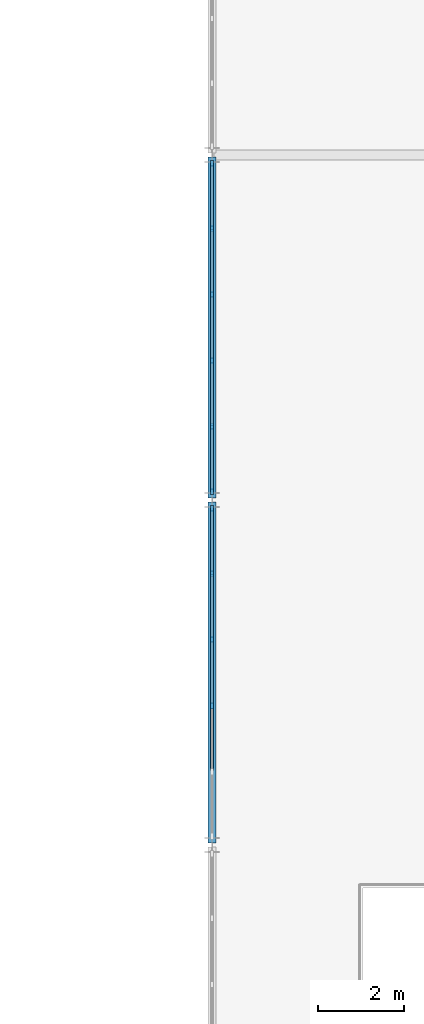
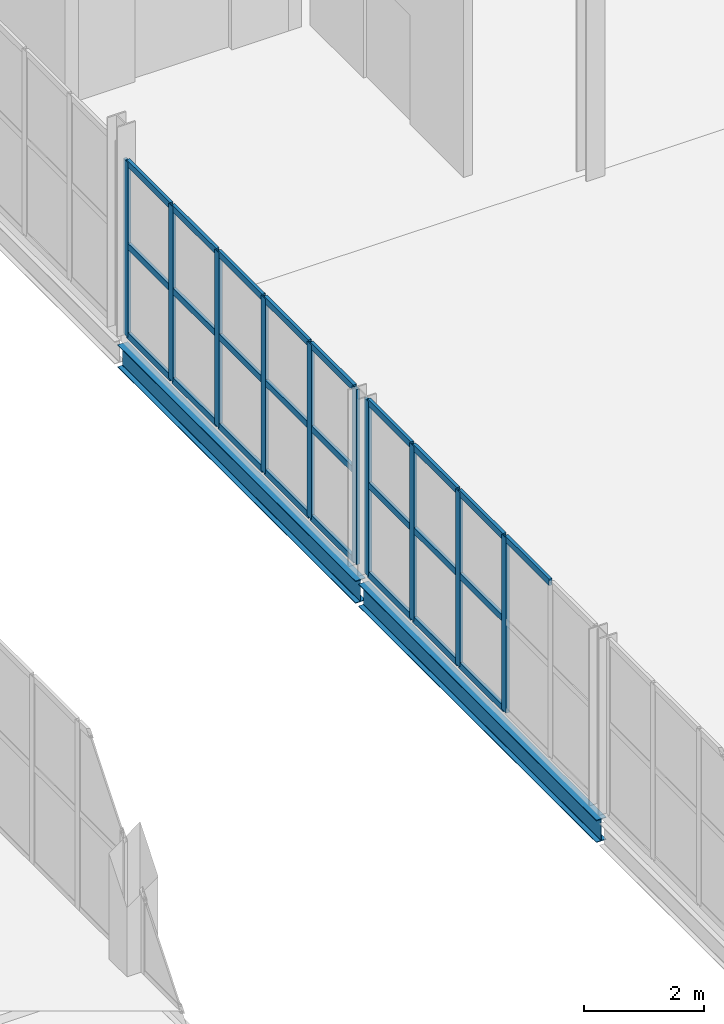
# One storey, part 17 of 73: 35 members, 2 beams, 2 elements without a shape of their own.
"""IFC4 building model written with IfcOpenShell, lengths in metres."""

from ifc_helpers import new_model, si_unit, direction, frame, origin, origin_2d, place, context, subcontext, project, spatial, rectangle, i_section, extrude, material, layer, layer_set, material_profile, profile_set, type_object, element, aggregate, save


model = new_model("IFC4")

# Units and contexts
model_context = context("Model", 3, precision=1e-05, world=origin(), true_north=direction((0.0, 1.0)))
body_context = subcontext(model_context, "Body", "Model", "MODEL_VIEW")
ifc_project = project(units=[si_unit("LENGTHUNIT", "METRE"), si_unit("AREAUNIT", "SQUARE_METRE"), si_unit("VOLUMEUNIT", "CUBIC_METRE"), si_unit("PLANEANGLEUNIT", "RADIAN"), si_unit("MASSUNIT", "GRAM", prefix="KILO")], contexts=[model_context])

# Site, building, storey
site_placement = place(None, origin())
site = spatial("IfcSite", under=ifc_project, at=site_placement, CompositionType="ELEMENT")
building_placement = place(site_placement, origin())
building = spatial("IfcBuilding", under=site, at=building_placement, Name="Marnock Terrace Opera House", CompositionType="ELEMENT")
storey_placement = place(building_placement, frame((0.0, 0.0, 14.699951171875)))
storey = spatial("IfcBuildingStorey", under=building, at=storey_placement, Name="L03", CompositionType="ELEMENT", Elevation=14.699951171875)

# Beams
ifc_material_1 = material(Name="Steel Grade 350 (AS/NZS 3679.1)", Category="steel")
ifc_material_profile_1 = material_profile(ifc_material_1, i_section(OverallWidth=0.18994140625, OverallDepth=0.45751953125, WebThickness=0.009033203125, FlangeThickness=0.014404296875, FilletRadius=0.011474609375, at=origin_2d()))
ifc_profile_set_1 = profile_set([ifc_material_profile_1], Name="Steel Grade 350 (AS/NZS 3679.1)")
beam_type = type_object("IfcBeamType", Name="BM-GIRD-460B", PredefinedType="BEAM", material=ifc_profile_set_1)
for number, where, z_axis, x_axis, name in (
    (1, (55.0, 24.050048828125, -0.48876953125), (0.0, 1.0, 0.0), (-1.0, 0.0, 0.0), "L03 girder (X=55.0, 24.0..32.0)"),
    (2, (55.0, 32.050048828125, -0.48876953125), (0.0, 1.0, 0.0), (-1.0, 0.0, 0.0), "L03 girder (X=55.0, 32.0..40.0)"),
):
    element("IfcBeam", number, at=place(storey_placement, frame(where, z_axis=z_axis, x_axis=x_axis)), inside=storey, type_object=beam_type, Name=name, PredefinedType="BEAM", context=body_context, shape_type="SweptSolid", body=[
        extrude(i_section(OverallWidth=0.18994140625, OverallDepth=0.45751953125, WebThickness=0.009033203125, FlangeThickness=0.014404296875, FilletRadius=0.011474609375, at=origin_2d()), origin(), (0.0, 0.0, 1.0), 7.89990234375),
    ])

# Curtain wall, members
ifc_material_2 = material(Name="Anodised architectural bronze aluminium framing", Category="aluminium")
ifc_layer = layer(ifc_material_2, 0.159912109375)
ifc_layer_set = layer_set([ifc_layer], Name="Anodised architectural bronze aluminium framing")
curtain_wall_type = type_object("IfcCurtainWallType", Name="CW-FOYER-80x42", PredefinedType="NOTDEFINED", material=ifc_layer_set)
curtain_wall_1_placement = place(storey_placement, origin())
curtain_wall_1 = element("IfcCurtainWall", 3, at=curtain_wall_1_placement, inside=storey, type_object=curtain_wall_type, Name="L03 glazed Beaux-Arts colonnade curtain wall CW-V1W-L03-03", PredefinedType="NOTDEFINED")
ifc_material_profile_2 = material_profile(ifc_material_2, rectangle(XDim=0.06005859375, YDim=0.14990234375, at=origin_2d()))
ifc_profile_set_2 = profile_set([ifc_material_profile_2], Name="Anodised architectural bronze aluminium framing")
member_type_1 = type_object("IfcMemberType", Name="CWM-60x150", PredefinedType="MULLION", material=ifc_profile_set_2)
member_1_placement = place(storey_placement, frame((55.0, 27.234130859375, 0.0), z_axis=(0.0, 0.0, 1.0), x_axis=(-1.0, 0.0, 0.0)))
member_1 = element("IfcMember", 4, at=member_1_placement, type_object=member_type_1, Name="CW-62 mullion 3", PredefinedType="MULLION", context=body_context, shape_type="SweptSolid", body=[
    extrude(rectangle(XDim=0.06005859375, YDim=0.14990234375, at=origin_2d()), origin(), (0.0, 0.0, 1.0), 3.546142578125),
])
member_2_placement = place(storey_placement, frame((55.0, 28.765869140625, 0.0), z_axis=(0.0, 0.0, 1.0), x_axis=(-1.0, 0.0, 0.0)))
member_2 = element("IfcMember", 5, at=member_2_placement, type_object=member_type_1, Name="CW-62 mullion 4", PredefinedType="MULLION", context=body_context, shape_type="SweptSolid", body=[
    extrude(rectangle(XDim=0.06005859375, YDim=0.14990234375, at=origin_2d()), origin(), (0.0, 0.0, 1.0), 3.546142578125),
])
member_3_placement = place(storey_placement, frame((55.0, 30.29736328125, 0.0), z_axis=(0.0, 0.0, 1.0), x_axis=(-1.0, 0.0, 0.0)))
member_3 = element("IfcMember", 6, at=member_3_placement, type_object=member_type_1, Name="CW-62 mullion 5", PredefinedType="MULLION", context=body_context, shape_type="SweptSolid", body=[
    extrude(rectangle(XDim=0.06005859375, YDim=0.14990234375, at=origin_2d()), origin(), (0.0, 0.0, 1.0), 3.546142578125),
])
member_4_placement = place(storey_placement, frame((55.0, 31.799072265625, 0.0), z_axis=(0.0, 0.0, 1.0), x_axis=(-1.0, 0.0, 0.0)))
member_4 = element("IfcMember", 7, at=member_4_placement, type_object=member_type_1, Name="CW-62 mullion 6", PredefinedType="MULLION", context=body_context, shape_type="SweptSolid", body=[
    extrude(rectangle(XDim=0.06005859375, YDim=0.14990234375, at=origin_2d()), origin(), (0.0, 0.0, 1.0), 3.546142578125),
])

curtain_wall_2_placement = place(storey_placement, origin())
curtain_wall_2 = element("IfcCurtainWall", 8, at=curtain_wall_2_placement, inside=storey, type_object=curtain_wall_type, Name="L03 glazed Beaux-Arts colonnade curtain wall CW-V1W-L03-04", PredefinedType="NOTDEFINED")
member_5_placement = place(storey_placement, frame((55.0, 32.200927734375, 0.0), z_axis=(0.0, 0.0, 1.0), x_axis=(-1.0, 0.0, 0.0)))
member_5 = element("IfcMember", 9, at=member_5_placement, type_object=member_type_1, Name="CW-62 mullion 1", PredefinedType="MULLION", context=body_context, shape_type="SweptSolid", body=[
    extrude(rectangle(XDim=0.06005859375, YDim=0.14990234375, at=origin_2d()), origin(), (0.0, 0.0, 1.0), 3.546142578125),
])
member_6_placement = place(storey_placement, frame((55.0, 33.70263671875, 0.0), z_axis=(0.0, 0.0, 1.0), x_axis=(-1.0, 0.0, 0.0)))
member_6 = element("IfcMember", 10, at=member_6_placement, type_object=member_type_1, Name="CW-62 mullion 2", PredefinedType="MULLION", context=body_context, shape_type="SweptSolid", body=[
    extrude(rectangle(XDim=0.06005859375, YDim=0.14990234375, at=origin_2d()), origin(), (0.0, 0.0, 1.0), 3.546142578125),
])
member_7_placement = place(storey_placement, frame((55.0, 35.234130859375, 0.0), z_axis=(0.0, 0.0, 1.0), x_axis=(-1.0, 0.0, 0.0)))
member_7 = element("IfcMember", 11, at=member_7_placement, type_object=member_type_1, Name="CW-62 mullion 3", PredefinedType="MULLION", context=body_context, shape_type="SweptSolid", body=[
    extrude(rectangle(XDim=0.06005859375, YDim=0.14990234375, at=origin_2d()), origin(), (0.0, 0.0, 1.0), 3.546142578125),
])
member_8_placement = place(storey_placement, frame((55.0, 36.765869140625, 0.0), z_axis=(0.0, 0.0, 1.0), x_axis=(-1.0, 0.0, 0.0)))
member_8 = element("IfcMember", 12, at=member_8_placement, type_object=member_type_1, Name="CW-62 mullion 4", PredefinedType="MULLION", context=body_context, shape_type="SweptSolid", body=[
    extrude(rectangle(XDim=0.06005859375, YDim=0.14990234375, at=origin_2d()), origin(), (0.0, 0.0, 1.0), 3.546142578125),
])
member_9_placement = place(storey_placement, frame((55.0, 38.29736328125, 0.0), z_axis=(0.0, 0.0, 1.0), x_axis=(-1.0, 0.0, 0.0)))
member_9 = element("IfcMember", 13, at=member_9_placement, type_object=member_type_1, Name="CW-62 mullion 5", PredefinedType="MULLION", context=body_context, shape_type="SweptSolid", body=[
    extrude(rectangle(XDim=0.06005859375, YDim=0.14990234375, at=origin_2d()), origin(), (0.0, 0.0, 1.0), 3.546142578125),
])
member_10_placement = place(storey_placement, frame((55.0, 39.799072265625, 0.0), z_axis=(0.0, 0.0, 1.0), x_axis=(-1.0, 0.0, 0.0)))
member_10 = element("IfcMember", 14, at=member_10_placement, type_object=member_type_1, Name="CW-62 mullion 6", PredefinedType="MULLION", context=body_context, shape_type="SweptSolid", body=[
    extrude(rectangle(XDim=0.06005859375, YDim=0.14990234375, at=origin_2d()), origin(), (0.0, 0.0, 1.0), 3.546142578125),
])

# Member
ifc_material_profile_3 = material_profile(ifc_material_2, rectangle(XDim=0.06005859375, YDim=0.1298828125, at=origin_2d()))
ifc_profile_set_3 = profile_set([ifc_material_profile_3], Name="Anodised architectural bronze aluminium framing")
member_type_2 = type_object("IfcMemberType", Name="CWT-60x130", PredefinedType="USERDEFINED", material=ifc_profile_set_3)
member_11_placement = place(storey_placement, frame((55.0, 25.732666015625, 3.51611328125), z_axis=(0.0, 1.0, 0.0), x_axis=(-1.0, 0.0, 0.0)))
member_11 = element("IfcMember", 15, at=member_11_placement, type_object=member_type_2, Name="CW-62 transom 2.3", ObjectType="TRANSOM", PredefinedType="USERDEFINED", context=body_context, shape_type="SweptSolid", body=[
    extrude(rectangle(XDim=0.06005859375, YDim=0.1298828125, at=origin_2d()), origin(), (0.0, 0.0, 1.0), 1.471435546875),
])

member_12_placement = place(storey_placement, frame((55.0, 27.26416015625, 0.030029296875), z_axis=(0.0, 1.0, 0.0), x_axis=(-1.0, 0.0, 0.0)))
member_12 = element("IfcMember", 16, at=member_12_placement, type_object=member_type_2, Name="CW-62 transom 3.1", ObjectType="TRANSOM", PredefinedType="USERDEFINED", context=body_context, shape_type="SweptSolid", body=[
    extrude(rectangle(XDim=0.06005859375, YDim=0.1298828125, at=origin_2d()), origin(), (0.0, 0.0, 1.0), 1.4716796875),
])

member_13_placement = place(storey_placement, frame((55.0, 27.26416015625, 1.843994140625), z_axis=(0.0, 1.0, 0.0), x_axis=(-1.0, 0.0, 0.0)))
member_13 = element("IfcMember", 17, at=member_13_placement, type_object=member_type_2, Name="CW-62 transom 3.2", ObjectType="TRANSOM", PredefinedType="USERDEFINED", context=body_context, shape_type="SweptSolid", body=[
    extrude(rectangle(XDim=0.06005859375, YDim=0.1298828125, at=origin_2d()), origin(), (0.0, 0.0, 1.0), 1.4716796875),
])

member_14_placement = place(storey_placement, frame((55.0, 27.26416015625, 3.51611328125), z_axis=(0.0, 1.0, 0.0), x_axis=(-1.0, 0.0, 0.0)))
member_14 = element("IfcMember", 18, at=member_14_placement, type_object=member_type_2, Name="CW-62 transom 3.3", ObjectType="TRANSOM", PredefinedType="USERDEFINED", context=body_context, shape_type="SweptSolid", body=[
    extrude(rectangle(XDim=0.06005859375, YDim=0.1298828125, at=origin_2d()), origin(), (0.0, 0.0, 1.0), 1.4716796875),
])

member_15_placement = place(storey_placement, frame((55.0, 28.7958984375, 0.030029296875), z_axis=(0.0, 1.0, 0.0), x_axis=(-1.0, 0.0, 0.0)))
member_15 = element("IfcMember", 19, at=member_15_placement, type_object=member_type_2, Name="CW-62 transom 4.1", ObjectType="TRANSOM", PredefinedType="USERDEFINED", context=body_context, shape_type="SweptSolid", body=[
    extrude(rectangle(XDim=0.06005859375, YDim=0.1298828125, at=origin_2d()), origin(), (0.0, 0.0, 1.0), 1.471435546875),
])

member_16_placement = place(storey_placement, frame((55.0, 28.7958984375, 1.843994140625), z_axis=(0.0, 1.0, 0.0), x_axis=(-1.0, 0.0, 0.0)))
member_16 = element("IfcMember", 20, at=member_16_placement, type_object=member_type_2, Name="CW-62 transom 4.2", ObjectType="TRANSOM", PredefinedType="USERDEFINED", context=body_context, shape_type="SweptSolid", body=[
    extrude(rectangle(XDim=0.06005859375, YDim=0.1298828125, at=origin_2d()), origin(), (0.0, 0.0, 1.0), 1.471435546875),
])

member_17_placement = place(storey_placement, frame((55.0, 28.7958984375, 3.51611328125), z_axis=(0.0, 1.0, 0.0), x_axis=(-1.0, 0.0, 0.0)))
member_17 = element("IfcMember", 21, at=member_17_placement, type_object=member_type_2, Name="CW-62 transom 4.3", ObjectType="TRANSOM", PredefinedType="USERDEFINED", context=body_context, shape_type="SweptSolid", body=[
    extrude(rectangle(XDim=0.06005859375, YDim=0.1298828125, at=origin_2d()), origin(), (0.0, 0.0, 1.0), 1.471435546875),
])

member_18_placement = place(storey_placement, frame((55.0, 30.327392578125, 0.030029296875), z_axis=(0.0, 1.0, 0.0), x_axis=(-1.0, 0.0, 0.0)))
member_18 = element("IfcMember", 22, at=member_18_placement, type_object=member_type_2, Name="CW-62 transom 5.1", ObjectType="TRANSOM", PredefinedType="USERDEFINED", context=body_context, shape_type="SweptSolid", body=[
    extrude(rectangle(XDim=0.06005859375, YDim=0.1298828125, at=origin_2d()), origin(), (0.0, 0.0, 1.0), 1.441650390625),
])

member_19_placement = place(storey_placement, frame((55.0, 30.327392578125, 1.843994140625), z_axis=(0.0, 1.0, 0.0), x_axis=(-1.0, 0.0, 0.0)))
member_19 = element("IfcMember", 23, at=member_19_placement, type_object=member_type_2, Name="CW-62 transom 5.2", ObjectType="TRANSOM", PredefinedType="USERDEFINED", context=body_context, shape_type="SweptSolid", body=[
    extrude(rectangle(XDim=0.06005859375, YDim=0.1298828125, at=origin_2d()), origin(), (0.0, 0.0, 1.0), 1.441650390625),
])

member_20_placement = place(storey_placement, frame((55.0, 30.327392578125, 3.51611328125), z_axis=(0.0, 1.0, 0.0), x_axis=(-1.0, 0.0, 0.0)))
member_20 = element("IfcMember", 24, at=member_20_placement, type_object=member_type_2, Name="CW-62 transom 5.3", ObjectType="TRANSOM", PredefinedType="USERDEFINED", context=body_context, shape_type="SweptSolid", body=[
    extrude(rectangle(XDim=0.06005859375, YDim=0.1298828125, at=origin_2d()), origin(), (0.0, 0.0, 1.0), 1.441650390625),
])

aggregate(curtain_wall_1, [member_1, member_2, member_3, member_4, member_11, member_12, member_13, member_14, member_15, member_16, member_17, member_18, member_19, member_20])

member_21_placement = place(storey_placement, frame((55.0, 32.23095703125, 0.030029296875), z_axis=(0.0, 1.0, 0.0), x_axis=(-1.0, 0.0, 0.0)))
member_21 = element("IfcMember", 25, at=member_21_placement, type_object=member_type_2, Name="CW-62 transom 1.1", ObjectType="TRANSOM", PredefinedType="USERDEFINED", context=body_context, shape_type="SweptSolid", body=[
    extrude(rectangle(XDim=0.06005859375, YDim=0.1298828125, at=origin_2d()), origin(), (0.0, 0.0, 1.0), 1.441650390625),
])

member_22_placement = place(storey_placement, frame((55.0, 32.23095703125, 1.843994140625), z_axis=(0.0, 1.0, 0.0), x_axis=(-1.0, 0.0, 0.0)))
member_22 = element("IfcMember", 26, at=member_22_placement, type_object=member_type_2, Name="CW-62 transom 1.2", ObjectType="TRANSOM", PredefinedType="USERDEFINED", context=body_context, shape_type="SweptSolid", body=[
    extrude(rectangle(XDim=0.06005859375, YDim=0.1298828125, at=origin_2d()), origin(), (0.0, 0.0, 1.0), 1.441650390625),
])

member_23_placement = place(storey_placement, frame((55.0, 32.23095703125, 3.51611328125), z_axis=(0.0, 1.0, 0.0), x_axis=(-1.0, 0.0, 0.0)))
member_23 = element("IfcMember", 27, at=member_23_placement, type_object=member_type_2, Name="CW-62 transom 1.3", ObjectType="TRANSOM", PredefinedType="USERDEFINED", context=body_context, shape_type="SweptSolid", body=[
    extrude(rectangle(XDim=0.06005859375, YDim=0.1298828125, at=origin_2d()), origin(), (0.0, 0.0, 1.0), 1.441650390625),
])

member_24_placement = place(storey_placement, frame((55.0, 33.732666015625, 0.030029296875), z_axis=(0.0, 1.0, 0.0), x_axis=(-1.0, 0.0, 0.0)))
member_24 = element("IfcMember", 28, at=member_24_placement, type_object=member_type_2, Name="CW-62 transom 2.1", ObjectType="TRANSOM", PredefinedType="USERDEFINED", context=body_context, shape_type="SweptSolid", body=[
    extrude(rectangle(XDim=0.06005859375, YDim=0.1298828125, at=origin_2d()), origin(), (0.0, 0.0, 1.0), 1.471435546875),
])

member_25_placement = place(storey_placement, frame((55.0, 33.732666015625, 1.843994140625), z_axis=(0.0, 1.0, 0.0), x_axis=(-1.0, 0.0, 0.0)))
member_25 = element("IfcMember", 29, at=member_25_placement, type_object=member_type_2, Name="CW-62 transom 2.2", ObjectType="TRANSOM", PredefinedType="USERDEFINED", context=body_context, shape_type="SweptSolid", body=[
    extrude(rectangle(XDim=0.06005859375, YDim=0.1298828125, at=origin_2d()), origin(), (0.0, 0.0, 1.0), 1.471435546875),
])

member_26_placement = place(storey_placement, frame((55.0, 33.732666015625, 3.51611328125), z_axis=(0.0, 1.0, 0.0), x_axis=(-1.0, 0.0, 0.0)))
member_26 = element("IfcMember", 30, at=member_26_placement, type_object=member_type_2, Name="CW-62 transom 2.3", ObjectType="TRANSOM", PredefinedType="USERDEFINED", context=body_context, shape_type="SweptSolid", body=[
    extrude(rectangle(XDim=0.06005859375, YDim=0.1298828125, at=origin_2d()), origin(), (0.0, 0.0, 1.0), 1.471435546875),
])

member_27_placement = place(storey_placement, frame((55.0, 35.26416015625, 0.030029296875), z_axis=(0.0, 1.0, 0.0), x_axis=(-1.0, 0.0, 0.0)))
member_27 = element("IfcMember", 31, at=member_27_placement, type_object=member_type_2, Name="CW-62 transom 3.1", ObjectType="TRANSOM", PredefinedType="USERDEFINED", context=body_context, shape_type="SweptSolid", body=[
    extrude(rectangle(XDim=0.06005859375, YDim=0.1298828125, at=origin_2d()), origin(), (0.0, 0.0, 1.0), 1.4716796875),
])

member_28_placement = place(storey_placement, frame((55.0, 35.26416015625, 1.843994140625), z_axis=(0.0, 1.0, 0.0), x_axis=(-1.0, 0.0, 0.0)))
member_28 = element("IfcMember", 32, at=member_28_placement, type_object=member_type_2, Name="CW-62 transom 3.2", ObjectType="TRANSOM", PredefinedType="USERDEFINED", context=body_context, shape_type="SweptSolid", body=[
    extrude(rectangle(XDim=0.06005859375, YDim=0.1298828125, at=origin_2d()), origin(), (0.0, 0.0, 1.0), 1.4716796875),
])

member_29_placement = place(storey_placement, frame((55.0, 35.26416015625, 3.51611328125), z_axis=(0.0, 1.0, 0.0), x_axis=(-1.0, 0.0, 0.0)))
member_29 = element("IfcMember", 33, at=member_29_placement, type_object=member_type_2, Name="CW-62 transom 3.3", ObjectType="TRANSOM", PredefinedType="USERDEFINED", context=body_context, shape_type="SweptSolid", body=[
    extrude(rectangle(XDim=0.06005859375, YDim=0.1298828125, at=origin_2d()), origin(), (0.0, 0.0, 1.0), 1.4716796875),
])

member_30_placement = place(storey_placement, frame((55.0, 36.7958984375, 0.030029296875), z_axis=(0.0, 1.0, 0.0), x_axis=(-1.0, 0.0, 0.0)))
member_30 = element("IfcMember", 34, at=member_30_placement, type_object=member_type_2, Name="CW-62 transom 4.1", ObjectType="TRANSOM", PredefinedType="USERDEFINED", context=body_context, shape_type="SweptSolid", body=[
    extrude(rectangle(XDim=0.06005859375, YDim=0.1298828125, at=origin_2d()), origin(), (0.0, 0.0, 1.0), 1.471435546875),
])

member_31_placement = place(storey_placement, frame((55.0, 36.7958984375, 1.843994140625), z_axis=(0.0, 1.0, 0.0), x_axis=(-1.0, 0.0, 0.0)))
member_31 = element("IfcMember", 35, at=member_31_placement, type_object=member_type_2, Name="CW-62 transom 4.2", ObjectType="TRANSOM", PredefinedType="USERDEFINED", context=body_context, shape_type="SweptSolid", body=[
    extrude(rectangle(XDim=0.06005859375, YDim=0.1298828125, at=origin_2d()), origin(), (0.0, 0.0, 1.0), 1.471435546875),
])

member_32_placement = place(storey_placement, frame((55.0, 36.7958984375, 3.51611328125), z_axis=(0.0, 1.0, 0.0), x_axis=(-1.0, 0.0, 0.0)))
member_32 = element("IfcMember", 36, at=member_32_placement, type_object=member_type_2, Name="CW-62 transom 4.3", ObjectType="TRANSOM", PredefinedType="USERDEFINED", context=body_context, shape_type="SweptSolid", body=[
    extrude(rectangle(XDim=0.06005859375, YDim=0.1298828125, at=origin_2d()), origin(), (0.0, 0.0, 1.0), 1.471435546875),
])

member_33_placement = place(storey_placement, frame((55.0, 38.327392578125, 0.030029296875), z_axis=(0.0, 1.0, 0.0), x_axis=(-1.0, 0.0, 0.0)))
member_33 = element("IfcMember", 37, at=member_33_placement, type_object=member_type_2, Name="CW-62 transom 5.1", ObjectType="TRANSOM", PredefinedType="USERDEFINED", context=body_context, shape_type="SweptSolid", body=[
    extrude(rectangle(XDim=0.06005859375, YDim=0.1298828125, at=origin_2d()), origin(), (0.0, 0.0, 1.0), 1.441650390625),
])

member_34_placement = place(storey_placement, frame((55.0, 38.327392578125, 1.843994140625), z_axis=(0.0, 1.0, 0.0), x_axis=(-1.0, 0.0, 0.0)))
member_34 = element("IfcMember", 38, at=member_34_placement, type_object=member_type_2, Name="CW-62 transom 5.2", ObjectType="TRANSOM", PredefinedType="USERDEFINED", context=body_context, shape_type="SweptSolid", body=[
    extrude(rectangle(XDim=0.06005859375, YDim=0.1298828125, at=origin_2d()), origin(), (0.0, 0.0, 1.0), 1.441650390625),
])

member_35_placement = place(storey_placement, frame((55.0, 38.327392578125, 3.51611328125), z_axis=(0.0, 1.0, 0.0), x_axis=(-1.0, 0.0, 0.0)))
member_35 = element("IfcMember", 39, at=member_35_placement, type_object=member_type_2, Name="CW-62 transom 5.3", ObjectType="TRANSOM", PredefinedType="USERDEFINED", context=body_context, shape_type="SweptSolid", body=[
    extrude(rectangle(XDim=0.06005859375, YDim=0.1298828125, at=origin_2d()), origin(), (0.0, 0.0, 1.0), 1.441650390625),
])

aggregate(curtain_wall_2, [member_5, member_6, member_7, member_8, member_9, member_10, member_21, member_22, member_23, member_24, member_25, member_26, member_27, member_28, member_29, member_30, member_31, member_32, member_33, member_34, member_35])

save(model, "model.ifc")
